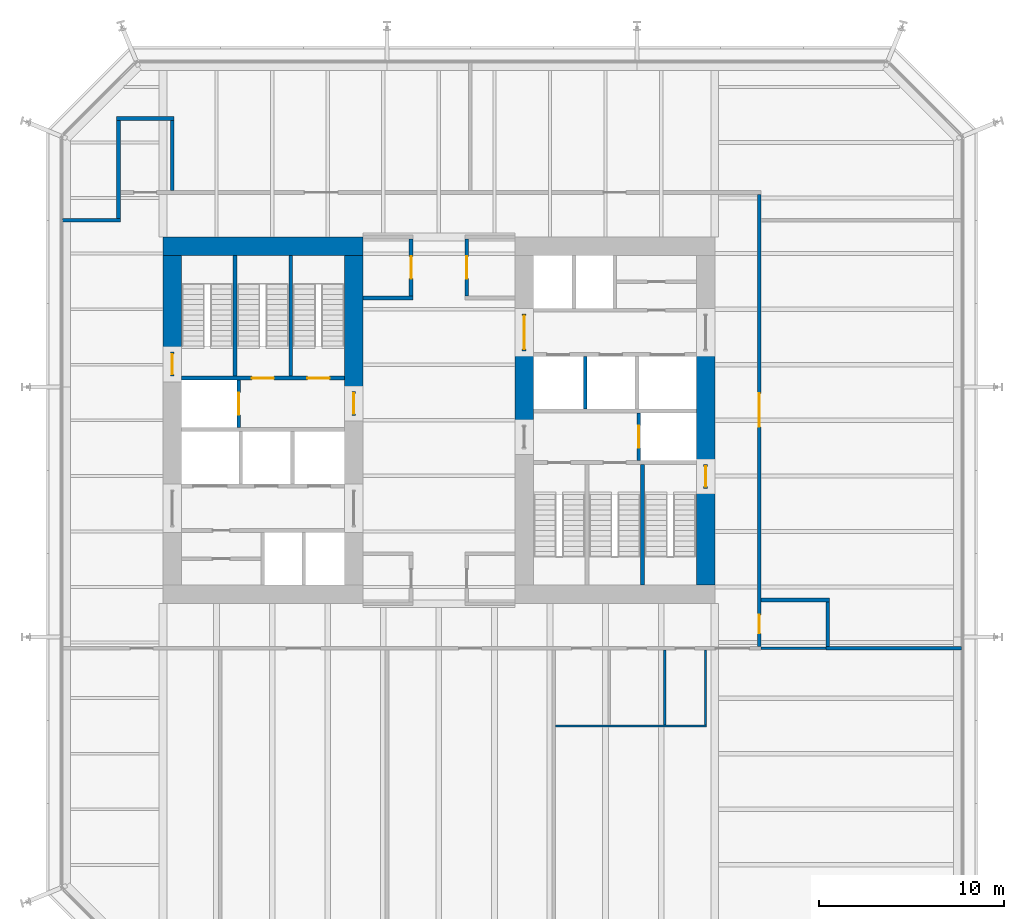
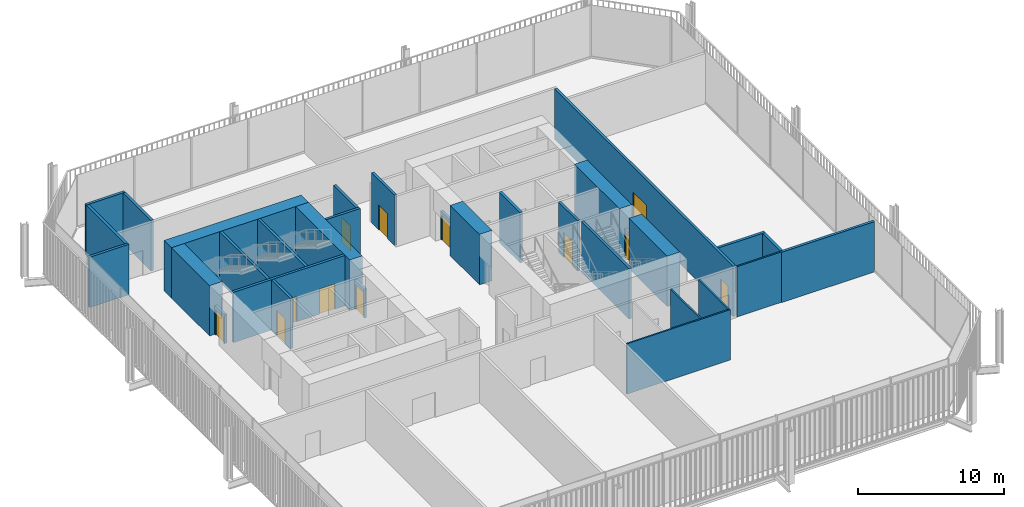
# One storey, part 17 of 20: 32 walls, 12 doors, 12 openings.
"""IFC4 building model written with IfcOpenShell, lengths in metres."""

from ifc_helpers import new_model, si_unit, direction, frame, frame_2d, origin, place, context, subcontext, project, spatial, rectangle, extrude, material, layer, layer_set, type_object, element, fill, save


model = new_model("IFC4")

# Units and contexts
model_context = context("Model", 3, precision=1e-05, world=origin(), true_north=direction((0.0, 1.0)))
body_context = subcontext(model_context, "Body", "Model", "MODEL_VIEW")
ifc_project = project(units=[si_unit("LENGTHUNIT", "METRE"), si_unit("AREAUNIT", "SQUARE_METRE"), si_unit("VOLUMEUNIT", "CUBIC_METRE"), si_unit("PLANEANGLEUNIT", "RADIAN"), si_unit("MASSUNIT", "GRAM", prefix="KILO")], contexts=[model_context])

# Site, building, storey
site_placement = place(None, origin())
site = spatial("IfcSite", under=ifc_project, at=site_placement, CompositionType="ELEMENT")
building_placement = place(site_placement, origin())
building = spatial("IfcBuilding", under=site, at=building_placement, Name="Millrace Tower", CompositionType="ELEMENT")
storey_placement = place(building_placement, frame((0.0, 0.0, 99.60009765625)))
storey = spatial("IfcBuildingStorey", under=building, at=storey_placement, Name="L22", CompositionType="ELEMENT", Elevation=99.60009765625)

# Walls
ifc_material_1 = material(Name="Concrete C80", Category="concrete")
ifc_layer_1 = layer(ifc_material_1, 1.0)
ifc_layer_set_1 = layer_set([ifc_layer_1], Name="Concrete C80")
wall_type_1 = type_object("IfcWallType", Name="Core wall 1000 Concrete C80", PredefinedType="SHEAR", material=ifc_layer_set_1)
wall_1_placement = place(storey_placement, frame((-14.89990234375, 9.39990234375, 0.0), z_axis=(0.0, 0.0, 1.0), x_axis=(1.0, 0.0, 0.0)))
element("IfcWall", 1, at=wall_1_placement, inside=storey, type_object=wall_type_1, Name="Core wall W L22", PredefinedType="SHEAR", context=body_context, shape_type="SweptSolid", body=[
    extrude(rectangle(XDim=10.7998046875, YDim=1.0, at=frame_2d((5.39990234375, 0.0))), origin(), (0.0, 0.0, 1.0), 4.199951171875),
])
wall_2_placement = place(storey_placement, frame((-14.39990234375, 3.679931640625, 0.0), z_axis=(0.0, 0.0, 1.0), x_axis=(0.0, 1.0, 0.0)))
element("IfcWall", 2, at=wall_2_placement, inside=storey, type_object=wall_type_1, Name="Core wall W L22", PredefinedType="SHEAR", context=body_context, shape_type="SweptSolid", body=[
    extrude(rectangle(XDim=5.219970703125, YDim=1.0, at=frame_2d((2.60986328125, 0.0))), origin(), (0.0, 0.0, 1.0), 4.199951171875),
])
wall_3_placement = place(storey_placement, frame((-4.60009765625, 1.550048828125, 0.0), z_axis=(0.0, 0.0, 1.0), x_axis=(0.0, 1.0, 0.0)))
element("IfcWall", 3, at=wall_3_placement, inside=storey, type_object=wall_type_1, Name="Core wall W L22", PredefinedType="SHEAR", context=body_context, shape_type="SweptSolid", body=[
    extrude(rectangle(XDim=7.349853515625, YDim=1.0, at=frame_2d((3.6748046875, 0.0))), origin(), (0.0, 0.0, 1.0), 4.199951171875),
])
wall_4_placement = place(storey_placement, frame((14.39990234375, 3.75, 0.0), z_axis=(0.0, 0.0, 1.0), x_axis=(0.0, -1.0, 0.0)))
element("IfcWall", 4, at=wall_4_placement, inside=storey, type_object=wall_type_1, Name="Core wall E L22", PredefinedType="SHEAR", context=body_context, shape_type="SweptSolid", body=[
    extrude(rectangle(XDim=6.1298828125, YDim=1.0, at=frame_2d((3.06494140625, 0.0))), origin(), (0.0, 0.0, 1.0), 4.199951171875),
])
wall_5_placement = place(storey_placement, frame((14.39990234375, -3.679931640625, 0.0), z_axis=(0.0, 0.0, 1.0), x_axis=(0.0, -1.0, 0.0)))
element("IfcWall", 5, at=wall_5_placement, inside=storey, type_object=wall_type_1, Name="Core wall E L22", PredefinedType="SHEAR", context=body_context, shape_type="SweptSolid", body=[
    extrude(rectangle(XDim=5.219970703125, YDim=1.0, at=frame_2d((2.60986328125, 0.0))), origin(), (0.0, 0.0, 1.0), 4.199951171875),
])
wall_6_placement = place(storey_placement, frame((4.60009765625, 3.75, 0.0), z_axis=(0.0, 0.0, 1.0), x_axis=(0.0, -1.0, 0.0)))
element("IfcWall", 6, at=wall_6_placement, inside=storey, type_object=wall_type_1, Name="Core wall E L22", PredefinedType="SHEAR", context=body_context, shape_type="SweptSolid", body=[
    extrude(rectangle(XDim=4.0, YDim=1.0, at=frame_2d((2.0, 0.0))), origin(), (0.0, 0.0, 1.0), 4.199951171875),
])
ifc_material_2 = material(Name="Masonry partition, fire-rated", Category="masonry")
ifc_layer_2 = layer(ifc_material_2, 0.199951171875)
ifc_layer_set_2 = layer_set([ifc_layer_2], Name="Masonry partition, fire-rated")
wall_type_2 = type_object("IfcWallType", Name="Corridor wall 200", PredefinedType="PARTITIONING", material=ifc_layer_set_2)
wall_7_placement = place(storey_placement, frame((20.89990234375, -12.300048828125, 0.0), z_axis=(0.0, 0.0, 1.0), x_axis=(1.0, 0.0, 0.0)))
element("IfcWall", 7, at=wall_7_placement, inside=storey, type_object=wall_type_2, Name="Corridor wall L22", PredefinedType="PARTITIONING", context=body_context, shape_type="SweptSolid", body=[
    extrude(rectangle(XDim=7.330078125, YDim=0.199951171875, at=frame_2d((3.6650390625, 0.0))), origin(), (0.0, 0.0, 1.0), 4.199951171875),
])
wall_8_placement = place(storey_placement, frame((17.39990234375, -9.699951171875, 0.0), z_axis=(0.0, 0.0, 1.0), x_axis=(1.0, 0.0, 0.0)))
element("IfcWall", 8, at=wall_8_placement, inside=storey, type_object=wall_type_2, Name="Corridor wall L22", PredefinedType="PARTITIONING", context=body_context, shape_type="SweptSolid", body=[
    extrude(rectangle(XDim=3.7001953125, YDim=0.199951171875, at=frame_2d((1.85009765625, 0.0))), origin(), (0.0, 0.0, 1.0), 4.199951171875),
])
wall_9_placement = place(storey_placement, frame((-4.10009765625, 6.60009765625, 0.0), z_axis=(0.0, 0.0, 1.0), x_axis=(1.0, 0.0, 0.0)))
element("IfcWall", 9, at=wall_9_placement, inside=storey, type_object=wall_type_2, Name="Corridor wall L22", PredefinedType="PARTITIONING", context=body_context, shape_type="SweptSolid", body=[
    extrude(rectangle(XDim=2.7001953125, YDim=0.199951171875, at=frame_2d((1.35009765625, 0.0))), origin(), (0.0, 0.0, 1.0), 4.199951171875),
])
wall_10_placement = place(storey_placement, frame((-20.330078125, 10.800048828125, 0.0), z_axis=(0.0, 0.0, 1.0), x_axis=(1.0, 0.0, 0.0)))
element("IfcWall", 10, at=wall_10_placement, inside=storey, type_object=wall_type_2, Name="Corridor wall L22", PredefinedType="PARTITIONING", context=body_context, shape_type="SweptSolid", body=[
    extrude(rectangle(XDim=3.130126953125, YDim=0.199951171875, at=frame_2d((1.56494140625, 0.0))), origin(), (0.0, 0.0, 1.0), 4.199951171875),
])
wall_11_placement = place(storey_placement, frame((-17.39990234375, 16.300048828125, 0.0), z_axis=(0.0, 0.0, 1.0), x_axis=(1.0, 0.0, 0.0)))
element("IfcWall", 11, at=wall_11_placement, inside=storey, type_object=wall_type_2, Name="Corridor wall L22", PredefinedType="PARTITIONING", context=body_context, shape_type="SweptSolid", body=[
    extrude(rectangle(XDim=3.099853515625, YDim=0.199951171875, at=frame_2d((1.5498046875, 0.0))), origin(), (0.0, 0.0, 1.0), 4.199951171875),
])
wall_12_placement = place(storey_placement, frame((21.0, -12.199951171875, 0.0), z_axis=(0.0, 0.0, 1.0), x_axis=(0.0, 1.0, 0.0)))
element("IfcWall", 12, at=wall_12_placement, inside=storey, type_object=wall_type_2, Name="Corridor wall L22", PredefinedType="PARTITIONING", context=body_context, shape_type="SweptSolid", body=[
    extrude(rectangle(XDim=2.39990234375, YDim=0.199951171875, at=frame_2d((1.199951171875, 0.0))), origin(), (0.0, 0.0, 1.0), 4.199951171875),
])

# Wall, openings, doors
wall_13_placement = place(storey_placement, frame((17.300048828125, -12.199951171875, 0.0), z_axis=(0.0, 0.0, 1.0), x_axis=(0.0, 1.0, 0.0)))
wall_13 = element("IfcWall", 13, at=wall_13_placement, inside=storey, type_object=wall_type_2, Name="Corridor wall L22", PredefinedType="PARTITIONING", context=body_context, shape_type="SweptSolid", body=[
    extrude(rectangle(XDim=24.39990234375, YDim=0.199951171875, at=frame_2d((12.199951171875, 0.0))), origin(), (0.0, 0.0, 1.0), 4.199951171875),
])
opening_1_placement = place(wall_13_placement, frame((11.85009765625, 0.0, 0.0)))
opening_1 = element("IfcOpeningElement", 14, at=opening_1_placement, cuts=wall_13, Name="Opening 22-P015", PredefinedType="OPENING", context=body_context, shape_type="SweptSolid", body=[
    extrude(rectangle(XDim=1.800048828125, YDim=2.10009765625, at=frame_2d((0.89990234375, 1.050048828125))), frame((0.0, 0.10986328125, 0.0), z_axis=(0.0, -1.0, 0.0), x_axis=(1.0, 0.0, 0.0)), (0.0, 0.0, 1.0), 0.219970703125),
])
opening_2_placement = place(wall_13_placement, frame((0.699951171875, 0.0, 0.0)))
opening_2 = element("IfcOpeningElement", 15, at=opening_2_placement, cuts=wall_13, Name="Opening 22-P016", PredefinedType="OPENING", context=body_context, shape_type="SweptSolid", body=[
    extrude(rectangle(XDim=1.0, YDim=2.10009765625, at=frame_2d((0.5, 1.050048828125))), frame((0.0, 0.10986328125, 0.0), z_axis=(0.0, -1.0, 0.0), x_axis=(1.0, 0.0, 0.0)), (0.0, 0.0, 1.0), 0.219970703125),
])
ifc_material_3 = material(Name="Steel door set, fire-rated", Category="steel")
door_type_1 = type_object("IfcDoorType", Name="Corridor door 1000 x 2100", OperationType="SINGLE_SWING_LEFT", PredefinedType="DOOR", material=ifc_material_3)
door_1_placement = place(opening_2_placement, frame((1.0, 0.0, 0.0), z_axis=(0.0, 0.0, 1.0), x_axis=(-1.0, 0.0, 0.0)))
door_1 = element("IfcDoor", 16, at=door_1_placement, inside=storey, type_object=door_type_1, Name="Door 22-P016", OperationType="SINGLE_SWING_RIGHT", OverallHeight=2.10009765625, OverallWidth=1.0, PredefinedType="DOOR", context=body_context, shape_type="SweptSolid", body=[
    extrude(rectangle(XDim=1.0, YDim=2.10009765625, at=frame_2d((0.5, 1.050048828125))), frame((0.0, 0.02490234375, 0.0), z_axis=(0.0, -1.0, 0.0), x_axis=(1.0, 0.0, 0.0)), (0.0, 0.0, 1.0), 0.050048828125),
])
fill(opening_2, door_1)
ifc_material_4 = material(Name="Steel door set, fire-rated", Category="steel")
door_type_2 = type_object("IfcDoorType", Name="Data hall door 1800 x 2100", OperationType="DOUBLE_DOOR_SINGLE_SWING", PredefinedType="DOOR", material=ifc_material_4)
door_2_placement = place(opening_1_placement, frame((1.800048828125, 0.0, 0.0), z_axis=(0.0, 0.0, 1.0), x_axis=(-1.0, 0.0, 0.0)))
door_2 = element("IfcDoor", 17, at=door_2_placement, inside=storey, type_object=door_type_2, Name="Door 22-P015", OperationType="DOUBLE_DOOR_SINGLE_SWING", OverallHeight=2.10009765625, OverallWidth=1.800048828125, PredefinedType="DOOR", context=body_context, shape_type="SweptSolid", body=[
    extrude(rectangle(XDim=1.800048828125, YDim=2.10009765625, at=frame_2d((0.89990234375, 1.050048828125))), frame((0.0, 0.02490234375, 0.0), z_axis=(0.0, -1.0, 0.0), x_axis=(1.0, 0.0, 0.0)), (0.0, 0.0, 1.0), 0.050048828125),
])
fill(opening_1, door_2)

# Wall, opening, door
wall_14_placement = place(storey_placement, frame((1.5, 6.699951171875, 0.0), z_axis=(0.0, 0.0, 1.0), x_axis=(0.0, 1.0, 0.0)))
wall_14 = element("IfcWall", 18, at=wall_14_placement, inside=storey, type_object=wall_type_2, Name="Corridor wall L22", PredefinedType="PARTITIONING", context=body_context, shape_type="SweptSolid", body=[
    extrude(rectangle(XDim=3.10009765625, YDim=0.199951171875, at=frame_2d((1.550048828125, 0.0))), origin(), (0.0, 0.0, 1.0), 4.199951171875),
])
opening_3_placement = place(wall_14_placement, frame((0.949951171875, 0.0, 0.0)))
opening_3 = element("IfcOpeningElement", 19, at=opening_3_placement, cuts=wall_14, Name="Opening 22-P002", PredefinedType="OPENING", context=body_context, shape_type="SweptSolid", body=[
    extrude(rectangle(XDim=1.199951171875, YDim=2.10009765625, at=frame_2d((0.60009765625, 1.050048828125))), frame((0.0, 0.10986328125, 0.0), z_axis=(0.0, -1.0, 0.0), x_axis=(1.0, 0.0, 0.0)), (0.0, 0.0, 1.0), 0.219970703125),
])
ifc_material_5 = material(Name="Steel door set, fire-rated", Category="steel")
door_type_3 = type_object("IfcDoorType", Name="Corridor door 1200 x 2100", OperationType="SINGLE_SWING_LEFT", PredefinedType="DOOR", material=ifc_material_5)
door_3_placement = place(opening_3_placement, frame((1.199951171875, 0.0, 0.0), z_axis=(0.0, 0.0, 1.0), x_axis=(-1.0, 0.0, 0.0)))
door_3 = element("IfcDoor", 20, at=door_3_placement, inside=storey, type_object=door_type_3, Name="Door 22-P002", OperationType="SINGLE_SWING_LEFT", OverallHeight=2.10009765625, OverallWidth=1.199951171875, PredefinedType="DOOR", context=body_context, shape_type="SweptSolid", body=[
    extrude(rectangle(XDim=1.199951171875, YDim=2.10009765625, at=frame_2d((0.60009765625, 1.050048828125))), frame((0.0, 0.02490234375, 0.0), z_axis=(0.0, -1.0, 0.0), x_axis=(1.0, 0.0, 0.0)), (0.0, 0.0, 1.0), 0.050048828125),
])
fill(opening_3, door_3)

wall_15_placement = place(storey_placement, frame((-1.5, 6.699951171875, 0.0), z_axis=(0.0, 0.0, 1.0), x_axis=(0.0, 1.0, 0.0)))
wall_15 = element("IfcWall", 21, at=wall_15_placement, inside=storey, type_object=wall_type_2, Name="Corridor wall L22", PredefinedType="PARTITIONING", context=body_context, shape_type="SweptSolid", body=[
    extrude(rectangle(XDim=3.10009765625, YDim=0.199951171875, at=frame_2d((1.550048828125, 0.0))), origin(), (0.0, 0.0, 1.0), 4.199951171875),
])
opening_4_placement = place(wall_15_placement, frame((0.949951171875, 0.0, 0.0)))
opening_4 = element("IfcOpeningElement", 22, at=opening_4_placement, cuts=wall_15, Name="Opening 22-P001", PredefinedType="OPENING", context=body_context, shape_type="SweptSolid", body=[
    extrude(rectangle(XDim=1.199951171875, YDim=2.10009765625, at=frame_2d((0.60009765625, 1.050048828125))), frame((0.0, 0.10986328125, 0.0), z_axis=(0.0, -1.0, 0.0), x_axis=(1.0, 0.0, 0.0)), (0.0, 0.0, 1.0), 0.219970703125),
])
door_4_placement = place(opening_4_placement, origin())
door_4 = element("IfcDoor", 23, at=door_4_placement, inside=storey, type_object=door_type_3, Name="Door 22-P001", OperationType="SINGLE_SWING_RIGHT", OverallHeight=2.10009765625, OverallWidth=1.199951171875, PredefinedType="DOOR", context=body_context, shape_type="SweptSolid", body=[
    extrude(rectangle(XDim=1.199951171875, YDim=2.10009765625, at=frame_2d((0.60009765625, 1.050048828125))), frame((0.0, 0.02490234375, 0.0), z_axis=(0.0, -1.0, 0.0), x_axis=(1.0, 0.0, 0.0)), (0.0, 0.0, 1.0), 0.050048828125),
])
fill(opening_4, door_4)

# Walls
wall_16_placement = place(storey_placement, frame((-14.39990234375, 12.39990234375, 0.0), z_axis=(0.0, 0.0, 1.0), x_axis=(0.0, 1.0, 0.0)))
element("IfcWall", 24, at=wall_16_placement, inside=storey, type_object=wall_type_2, Name="Corridor wall L22", PredefinedType="PARTITIONING", context=body_context, shape_type="SweptSolid", body=[
    extrude(rectangle(XDim=3.800048828125, YDim=0.199951171875, at=frame_2d((1.89990234375, 0.0))), origin(), (0.0, 0.0, 1.0), 4.199951171875),
])
wall_17_placement = place(storey_placement, frame((-17.300048828125, 10.89990234375, 0.0), z_axis=(0.0, 0.0, 1.0), x_axis=(0.0, 1.0, 0.0)))
element("IfcWall", 25, at=wall_17_placement, inside=storey, type_object=wall_type_2, Name="Corridor wall L22", PredefinedType="PARTITIONING", context=body_context, shape_type="SweptSolid", body=[
    extrude(rectangle(XDim=5.300048828125, YDim=0.199951171875, at=frame_2d((2.64990234375, 0.0))), origin(), (0.0, 0.0, 1.0), 4.199951171875),
])

# Wall, opening, door
ifc_material_6 = material(Name="Masonry partition, fire-rated", Category="masonry")
ifc_layer_3 = layer(ifc_material_6, 0.199951171875)
ifc_layer_set_3 = layer_set([ifc_layer_3], Name="Masonry partition, fire-rated")
wall_type_3 = type_object("IfcWallType", Name="Lift shaft wall 200", PredefinedType="PARTITIONING", material=ifc_layer_set_3)
wall_18_placement = place(storey_placement, frame((-10.800048828125, -0.39990234375, 0.0), z_axis=(0.0, 0.0, 1.0), x_axis=(0.0, 1.0, 0.0)))
wall_18 = element("IfcWall", 26, at=wall_18_placement, inside=storey, type_object=wall_type_3, Name="Lift shaft wall W L22", PredefinedType="PARTITIONING", context=body_context, shape_type="SweptSolid", body=[
    extrude(rectangle(XDim=2.579833984375, YDim=0.199951171875, at=frame_2d((1.2900390625, 0.0))), origin(), (0.0, 0.0, 1.0), 4.199951171875),
])
opening_5_placement = place(wall_18_placement, frame((0.68994140625, 0.0, 0.0)))
opening_5 = element("IfcOpeningElement", 27, at=opening_5_placement, cuts=wall_18, Name="Opening 22-LD08", PredefinedType="OPENING", context=body_context, shape_type="SweptSolid", body=[
    extrude(rectangle(XDim=1.199951171875, YDim=2.10009765625, at=frame_2d((0.60009765625, 1.050048828125))), frame((0.0, 0.10986328125, 0.0), z_axis=(0.0, -1.0, 0.0), x_axis=(1.0, 0.0, 0.0)), (0.0, 0.0, 1.0), 0.219970703125),
])
ifc_material_7 = material(Name="Stainless steel, fire-rated", Category="steel")
door_type_4 = type_object("IfcDoorType", Name="Lift landing door 1200 x 2100", OperationType="DOUBLE_DOOR_SLIDING", PredefinedType="DOOR", material=ifc_material_7)
door_5_placement = place(opening_5_placement, origin())
door_5 = element("IfcDoor", 28, at=door_5_placement, inside=storey, type_object=door_type_4, Name="Lift landing door LF8 L22", OperationType="DOUBLE_DOOR_SLIDING", OverallHeight=2.10009765625, OverallWidth=1.199951171875, PredefinedType="DOOR", context=body_context, shape_type="SweptSolid", body=[
    extrude(rectangle(XDim=1.199951171875, YDim=2.10009765625, at=frame_2d((0.60009765625, 1.050048828125))), frame((0.0, 0.02490234375, 0.0), z_axis=(0.0, -1.0, 0.0), x_axis=(1.0, 0.0, 0.0)), (0.0, 0.0, 1.0), 0.050048828125),
])
fill(opening_5, door_5)

wall_19_placement = place(storey_placement, frame((10.800048828125, 0.39990234375, 0.0), z_axis=(0.0, 0.0, 1.0), x_axis=(0.0, -1.0, 0.0)))
wall_19 = element("IfcWall", 29, at=wall_19_placement, inside=storey, type_object=wall_type_3, Name="Lift shaft wall E L22", PredefinedType="PARTITIONING", context=body_context, shape_type="SweptSolid", body=[
    extrude(rectangle(XDim=2.579833984375, YDim=0.199951171875, at=frame_2d((1.2900390625, 0.0))), origin(), (0.0, 0.0, 1.0), 4.199951171875),
])
opening_6_placement = place(wall_19_placement, frame((0.68994140625, 0.0, 0.0)))
opening_6 = element("IfcOpeningElement", 30, at=opening_6_placement, cuts=wall_19, Name="Opening 22-LD16", PredefinedType="OPENING", context=body_context, shape_type="SweptSolid", body=[
    extrude(rectangle(XDim=1.199951171875, YDim=2.10009765625, at=frame_2d((0.60009765625, 1.050048828125))), frame((0.0, 0.10986328125, 0.0), z_axis=(0.0, -1.0, 0.0), x_axis=(1.0, 0.0, 0.0)), (0.0, 0.0, 1.0), 0.219970703125),
])
door_6_placement = place(opening_6_placement, origin())
door_6 = element("IfcDoor", 31, at=door_6_placement, inside=storey, type_object=door_type_4, Name="Lift landing door LF16 L22", OperationType="DOUBLE_DOOR_SLIDING", OverallHeight=2.10009765625, OverallWidth=1.199951171875, PredefinedType="DOOR", context=body_context, shape_type="SweptSolid", body=[
    extrude(rectangle(XDim=1.199951171875, YDim=2.10009765625, at=frame_2d((0.60009765625, 1.050048828125))), frame((0.0, 0.02490234375, 0.0), z_axis=(0.0, -1.0, 0.0), x_axis=(1.0, 0.0, 0.0)), (0.0, 0.0, 1.0), 0.050048828125),
])
fill(opening_6, door_6)

# Wall
wall_20_placement = place(storey_placement, frame((7.89990234375, 3.449951171875, 0.0), z_axis=(0.0, 0.0, 1.0), x_axis=(0.0, -1.0, 0.0)))
element("IfcWall", 32, at=wall_20_placement, inside=storey, type_object=wall_type_3, Name="Lift shaft wall E L22", PredefinedType="PARTITIONING", context=body_context, shape_type="SweptSolid", body=[
    extrude(rectangle(XDim=2.849853515625, YDim=0.199951171875, at=frame_2d((1.4248046875, 0.0))), origin(), (0.0, 0.0, 1.0), 4.199951171875),
])

# Wall, opening, door
ifc_material_8 = material(Name="Masonry partition, fire-rated", Category="masonry")
ifc_layer_4 = layer(ifc_material_8, 0.199951171875)
ifc_layer_set_4 = layer_set([ifc_layer_4], Name="Masonry partition, fire-rated")
wall_type_4 = type_object("IfcWallType", Name="Lobby wall 200", PredefinedType="PARTITIONING", material=ifc_layer_set_4)
wall_21_placement = place(storey_placement, frame((-4.60009765625, 0.25, 0.0), z_axis=(0.0, 0.0, 1.0), x_axis=(0.0, 1.0, 0.0)))
wall_21 = element("IfcWall", 33, at=wall_21_placement, inside=storey, type_object=wall_type_4, Name="Lobby wall W L22", PredefinedType="PARTITIONING", context=body_context, shape_type="SweptSolid", body=[
    extrude(rectangle(XDim=1.300048828125, YDim=0.199951171875, at=frame_2d((0.64990234375, 0.0))), origin(), (0.0, 0.0, 1.0), 2.39990234375),
])
opening_7_placement = place(wall_21_placement, frame((0.10009765625, 0.0, 0.0)))
opening_7 = element("IfcOpeningElement", 34, at=opening_7_placement, cuts=wall_21, Name="Opening 22-C004", PredefinedType="OPENING", context=body_context, shape_type="SweptSolid", body=[
    extrude(rectangle(XDim=1.10009765625, YDim=2.10009765625, at=frame_2d((0.550048828125, 1.050048828125))), frame((0.0, 0.10986328125, 0.0), z_axis=(0.0, -1.0, 0.0), x_axis=(1.0, 0.0, 0.0)), (0.0, 0.0, 1.0), 0.219970703125),
])
ifc_material_9 = material(Name="Steel door, fire-rated", Category="steel")
door_type_5 = type_object("IfcDoorType", Name="Lobby door 1100 x 2100", OperationType="SINGLE_SWING_LEFT", PredefinedType="DOOR", material=ifc_material_9)
door_7_placement = place(opening_7_placement, origin())
door_7 = element("IfcDoor", 35, at=door_7_placement, inside=storey, type_object=door_type_5, Name="Lobby door 22-C004", OperationType="SINGLE_SWING_LEFT", OverallHeight=2.10009765625, OverallWidth=1.10009765625, PredefinedType="DOOR", context=body_context, shape_type="SweptSolid", body=[
    extrude(rectangle(XDim=1.10009765625, YDim=2.10009765625, at=frame_2d((0.550048828125, 1.050048828125))), frame((0.0, 0.02490234375, 0.0), z_axis=(0.0, -1.0, 0.0), x_axis=(1.0, 0.0, 0.0)), (0.0, 0.0, 1.0), 0.050048828125),
])
fill(opening_7, door_7)

wall_22_placement = place(storey_placement, frame((4.60009765625, 5.75, 0.0), z_axis=(0.0, 0.0, 1.0), x_axis=(0.0, -1.0, 0.0)))
wall_22 = element("IfcWall", 36, at=wall_22_placement, inside=storey, type_object=wall_type_4, Name="Lobby wall E L22", PredefinedType="PARTITIONING", context=body_context, shape_type="SweptSolid", body=[
    extrude(rectangle(XDim=2.0, YDim=0.199951171875, at=frame_2d((1.0, 0.0))), origin(), (0.0, 0.0, 1.0), 2.39990234375),
])
opening_8_placement = place(wall_22_placement, frame((0.10009765625, 0.0, 0.0)))
opening_8 = element("IfcOpeningElement", 37, at=opening_8_placement, cuts=wall_22, Name="Opening 22-C011", PredefinedType="OPENING", context=body_context, shape_type="SweptSolid", body=[
    extrude(rectangle(XDim=1.800048828125, YDim=2.10009765625, at=frame_2d((0.89990234375, 1.050048828125))), frame((0.0, 0.10986328125, 0.0), z_axis=(0.0, -1.0, 0.0), x_axis=(1.0, 0.0, 0.0)), (0.0, 0.0, 1.0), 0.219970703125),
])
ifc_material_10 = material(Name="Steel door, fire-rated", Category="steel")
door_type_6 = type_object("IfcDoorType", Name="Lobby door 1800 x 2100", OperationType="DOUBLE_DOOR_SINGLE_SWING", PredefinedType="DOOR", material=ifc_material_10)
door_8_placement = place(opening_8_placement, origin())
door_8 = element("IfcDoor", 38, at=door_8_placement, inside=storey, type_object=door_type_6, Name="Lobby door 22-C011", OperationType="DOUBLE_DOOR_SINGLE_SWING", OverallHeight=2.10009765625, OverallWidth=1.800048828125, PredefinedType="DOOR", context=body_context, shape_type="SweptSolid", body=[
    extrude(rectangle(XDim=1.800048828125, YDim=2.10009765625, at=frame_2d((0.89990234375, 1.050048828125))), frame((0.0, 0.02490234375, 0.0), z_axis=(0.0, -1.0, 0.0), x_axis=(1.0, 0.0, 0.0)), (0.0, 0.0, 1.0), 0.050048828125),
])
fill(opening_8, door_8)

# Walls
ifc_material_11 = material(Name="Gypsum board partition")
ifc_layer_5 = layer(ifc_material_11, 0.1201171875)
ifc_layer_set_5 = layer_set([ifc_layer_5], Name="Gypsum board partition")
wall_type_5 = type_object("IfcWallType", Name="Partition wall 120", PredefinedType="PARTITIONING", material=ifc_layer_set_5)
wall_23_placement = place(storey_placement, frame((6.300048828125, -16.5, 0.0), z_axis=(0.0, 0.0, 1.0), x_axis=(1.0, 0.0, 0.0)))
element("IfcWall", 39, at=wall_23_placement, inside=storey, type_object=wall_type_5, Name="Partition wall L22", PredefinedType="PARTITIONING", context=body_context, shape_type="SweptSolid", body=[
    extrude(rectangle(XDim=8.159912109375, YDim=0.1201171875, at=frame_2d((4.080078125, 0.0))), origin(), (0.0, 0.0, 1.0), 4.199951171875),
])
wall_24_placement = place(storey_placement, frame((17.39990234375, -12.300048828125, 0.0), z_axis=(0.0, 0.0, 1.0), x_axis=(1.0, 0.0, 0.0)))
element("IfcWall", 40, at=wall_24_placement, inside=storey, type_object=wall_type_5, Name="Partition wall L22", PredefinedType="PARTITIONING", context=body_context, shape_type="SweptSolid", body=[
    extrude(rectangle(XDim=3.5, YDim=0.1201171875, at=frame_2d((1.75, 0.0))), origin(), (0.0, 0.0, 1.0), 4.199951171875),
])
for number, where, z_axis, x_axis, name in (
    (41, (14.39990234375, -16.43994140625, 0.0), (0.0, 0.0, 1.0), (0.0, 1.0, 0.0), "Partition wall L22"),
    (42, (12.199951171875, -16.43994140625, 0.0), (0.0, 0.0, 1.0), (0.0, 1.0, 0.0), "Partition wall L22"),
):
    element("IfcWall", number, at=place(storey_placement, frame(where, z_axis=z_axis, x_axis=x_axis)), inside=storey, type_object=wall_type_5, Name=name, PredefinedType="PARTITIONING", context=body_context, shape_type="SweptSolid", body=[
        extrude(rectangle(XDim=4.0400390625, YDim=0.1201171875, at=frame_2d((2.02001953125, 0.0))), origin(), (0.0, 0.0, 1.0), 4.199951171875),
    ])

# Wall, opening, door
ifc_material_12 = material(Name="Concrete C40", Category="concrete")
ifc_layer_6 = layer(ifc_material_12, 0.199951171875)
ifc_layer_set_6 = layer_set([ifc_layer_6], Name="Concrete C40")
wall_type_6 = type_object("IfcWallType", Name="Stair enclosure wall 200 Concrete C40", PredefinedType="SHEAR", material=ifc_layer_set_6)
wall_25_placement = place(storey_placement, frame((-14.39990234375, 2.3798828125, 0.0), z_axis=(0.0, 0.0, 1.0), x_axis=(0.0, 1.0, 0.0)))
wall_25 = element("IfcWall", 43, at=wall_25_placement, inside=storey, type_object=wall_type_6, Name="Stair enclosure wall W L22", PredefinedType="SHEAR", context=body_context, shape_type="SweptSolid", body=[
    extrude(rectangle(XDim=1.300048828125, YDim=0.199951171875, at=frame_2d((0.64990234375, 0.0))), origin(), (0.0, 0.0, 1.0), 2.39990234375),
])
opening_9_placement = place(wall_25_placement, frame((0.10009765625, 0.0, 0.0)))
opening_9 = element("IfcOpeningElement", 44, at=opening_9_placement, cuts=wall_25, Name="Opening 22-C002", PredefinedType="OPENING", context=body_context, shape_type="SweptSolid", body=[
    extrude(rectangle(XDim=1.10009765625, YDim=2.10009765625, at=frame_2d((0.550048828125, 1.050048828125))), frame((0.0, 0.10986328125, 0.0), z_axis=(0.0, -1.0, 0.0), x_axis=(1.0, 0.0, 0.0)), (0.0, 0.0, 1.0), 0.219970703125),
])
ifc_material_13 = material(Name="Steel door, fire-rated", Category="steel")
door_type_7 = type_object("IfcDoorType", Name="Stair door 1100 x 2100", OperationType="SINGLE_SWING_LEFT", PredefinedType="DOOR", material=ifc_material_13)
door_9_placement = place(opening_9_placement, origin())
door_9 = element("IfcDoor", 45, at=door_9_placement, inside=storey, type_object=door_type_7, Name="Stair door 22-C002", OperationType="SINGLE_SWING_LEFT", OverallHeight=2.10009765625, OverallWidth=1.10009765625, PredefinedType="DOOR", context=body_context, shape_type="SweptSolid", body=[
    extrude(rectangle(XDim=1.10009765625, YDim=2.10009765625, at=frame_2d((0.550048828125, 1.050048828125))), frame((0.0, 0.02490234375, 0.0), z_axis=(0.0, -1.0, 0.0), x_axis=(1.0, 0.0, 0.0)), (0.0, 0.0, 1.0), 0.050048828125),
])
fill(opening_9, door_9)

# Wall, openings, doors
wall_26_placement = place(storey_placement, frame((-13.89990234375, 2.280029296875, 0.0), z_axis=(0.0, 0.0, 1.0), x_axis=(1.0, 0.0, 0.0)))
wall_26 = element("IfcWall", 46, at=wall_26_placement, inside=storey, type_object=wall_type_6, Name="Stair enclosure wall W L22", PredefinedType="SHEAR", context=body_context, shape_type="SweptSolid", body=[
    extrude(rectangle(XDim=8.7998046875, YDim=0.199951171875, at=frame_2d((4.39990234375, 0.0))), origin(), (0.0, 0.0, 1.0), 4.199951171875),
])
opening_10_placement = place(wall_26_placement, frame((3.800048828125, 0.0, 0.0)))
opening_10 = element("IfcOpeningElement", 47, at=opening_10_placement, cuts=wall_26, Name="Opening 22-C007", PredefinedType="OPENING", context=body_context, shape_type="SweptSolid", body=[
    extrude(rectangle(XDim=1.199951171875, YDim=2.10009765625, at=frame_2d((0.60009765625, 1.050048828125))), frame((0.0, 0.10986328125, 0.0), z_axis=(0.0, -1.0, 0.0), x_axis=(1.0, 0.0, 0.0)), (0.0, 0.0, 1.0), 0.219970703125),
])
opening_11_placement = place(wall_26_placement, frame((6.800048828125, 0.0, 0.0)))
opening_11 = element("IfcOpeningElement", 48, at=opening_11_placement, cuts=wall_26, Name="Opening 22-C008", PredefinedType="OPENING", context=body_context, shape_type="SweptSolid", body=[
    extrude(rectangle(XDim=1.199951171875, YDim=2.10009765625, at=frame_2d((0.60009765625, 1.050048828125))), frame((0.0, 0.10986328125, 0.0), z_axis=(0.0, -1.0, 0.0), x_axis=(1.0, 0.0, 0.0)), (0.0, 0.0, 1.0), 0.219970703125),
])
ifc_material_14 = material(Name="Steel door, fire-rated", Category="steel")
door_type_8 = type_object("IfcDoorType", Name="Stair door 1200 x 2100", OperationType="SINGLE_SWING_LEFT", PredefinedType="DOOR", material=ifc_material_14)
door_10_placement = place(opening_10_placement, frame((1.199951171875, 0.0, 0.0), z_axis=(0.0, 0.0, 1.0), x_axis=(-1.0, 0.0, 0.0)))
door_10 = element("IfcDoor", 49, at=door_10_placement, inside=storey, type_object=door_type_8, Name="Stair door 22-C007", OperationType="SINGLE_SWING_RIGHT", OverallHeight=2.10009765625, OverallWidth=1.199951171875, PredefinedType="DOOR", context=body_context, shape_type="SweptSolid", body=[
    extrude(rectangle(XDim=1.199951171875, YDim=2.10009765625, at=frame_2d((0.60009765625, 1.050048828125))), frame((0.0, 0.02490234375, 0.0), z_axis=(0.0, -1.0, 0.0), x_axis=(1.0, 0.0, 0.0)), (0.0, 0.0, 1.0), 0.050048828125),
])
fill(opening_10, door_10)
door_11_placement = place(opening_11_placement, frame((1.199951171875, 0.0, 0.0), z_axis=(0.0, 0.0, 1.0), x_axis=(-1.0, 0.0, 0.0)))
door_11 = element("IfcDoor", 50, at=door_11_placement, inside=storey, type_object=door_type_8, Name="Stair door 22-C008", OperationType="SINGLE_SWING_LEFT", OverallHeight=2.10009765625, OverallWidth=1.199951171875, PredefinedType="DOOR", context=body_context, shape_type="SweptSolid", body=[
    extrude(rectangle(XDim=1.199951171875, YDim=2.10009765625, at=frame_2d((0.60009765625, 1.050048828125))), frame((0.0, 0.02490234375, 0.0), z_axis=(0.0, -1.0, 0.0), x_axis=(1.0, 0.0, 0.0)), (0.0, 0.0, 1.0), 0.050048828125),
])
fill(opening_11, door_11)

# Walls
for number, where, z_axis, x_axis, name in (
    (51, (-11.0, 2.3798828125, 0.0), (0.0, 0.0, 1.0), (0.0, 1.0, 0.0), "Stair enclosure wall W L22"),
    (52, (-8.0, 2.3798828125, 0.0), (0.0, 0.0, 1.0), (0.0, 1.0, 0.0), "Stair enclosure wall W L22"),
):
    element("IfcWall", number, at=place(storey_placement, frame(where, z_axis=z_axis, x_axis=x_axis)), inside=storey, type_object=wall_type_6, Name=name, PredefinedType="SHEAR", context=body_context, shape_type="SweptSolid", body=[
        extrude(rectangle(XDim=6.52001953125, YDim=0.199951171875, at=frame_2d((3.260009765625, 0.0))), origin(), (0.0, 0.0, 1.0), 4.199951171875),
    ])

# Wall, opening, door
wall_27_placement = place(storey_placement, frame((14.39990234375, -2.3798828125, 0.0), z_axis=(0.0, 0.0, 1.0), x_axis=(0.0, -1.0, 0.0)))
wall_27 = element("IfcWall", 53, at=wall_27_placement, inside=storey, type_object=wall_type_6, Name="Stair enclosure wall E L22", PredefinedType="SHEAR", context=body_context, shape_type="SweptSolid", body=[
    extrude(rectangle(XDim=1.300048828125, YDim=0.199951171875, at=frame_2d((0.64990234375, 0.0))), origin(), (0.0, 0.0, 1.0), 2.39990234375),
])
opening_12_placement = place(wall_27_placement, frame((0.10009765625, 0.0, 0.0)))
opening_12 = element("IfcOpeningElement", 54, at=opening_12_placement, cuts=wall_27, Name="Opening 22-C010", PredefinedType="OPENING", context=body_context, shape_type="SweptSolid", body=[
    extrude(rectangle(XDim=1.10009765625, YDim=2.10009765625, at=frame_2d((0.550048828125, 1.050048828125))), frame((0.0, 0.10986328125, 0.0), z_axis=(0.0, -1.0, 0.0), x_axis=(1.0, 0.0, 0.0)), (0.0, 0.0, 1.0), 0.219970703125),
])
door_12_placement = place(opening_12_placement, origin())
door_12 = element("IfcDoor", 55, at=door_12_placement, inside=storey, type_object=door_type_7, Name="Stair door 22-C010", OperationType="SINGLE_SWING_LEFT", OverallHeight=2.10009765625, OverallWidth=1.10009765625, PredefinedType="DOOR", context=body_context, shape_type="SweptSolid", body=[
    extrude(rectangle(XDim=1.10009765625, YDim=2.10009765625, at=frame_2d((0.550048828125, 1.050048828125))), frame((0.0, 0.02490234375, 0.0), z_axis=(0.0, -1.0, 0.0), x_axis=(1.0, 0.0, 0.0)), (0.0, 0.0, 1.0), 0.050048828125),
])
fill(opening_12, door_12)

# Wall
wall_28_placement = place(storey_placement, frame((11.0, -2.3798828125, 0.0), z_axis=(0.0, 0.0, 1.0), x_axis=(0.0, -1.0, 0.0)))
element("IfcWall", 56, at=wall_28_placement, inside=storey, type_object=wall_type_6, Name="Stair enclosure wall E L22", PredefinedType="SHEAR", context=body_context, shape_type="SweptSolid", body=[
    extrude(rectangle(XDim=6.52001953125, YDim=0.199951171875, at=frame_2d((3.260009765625, 0.0))), origin(), (0.0, 0.0, 1.0), 4.199951171875),
])

save(model, "model.ifc")
